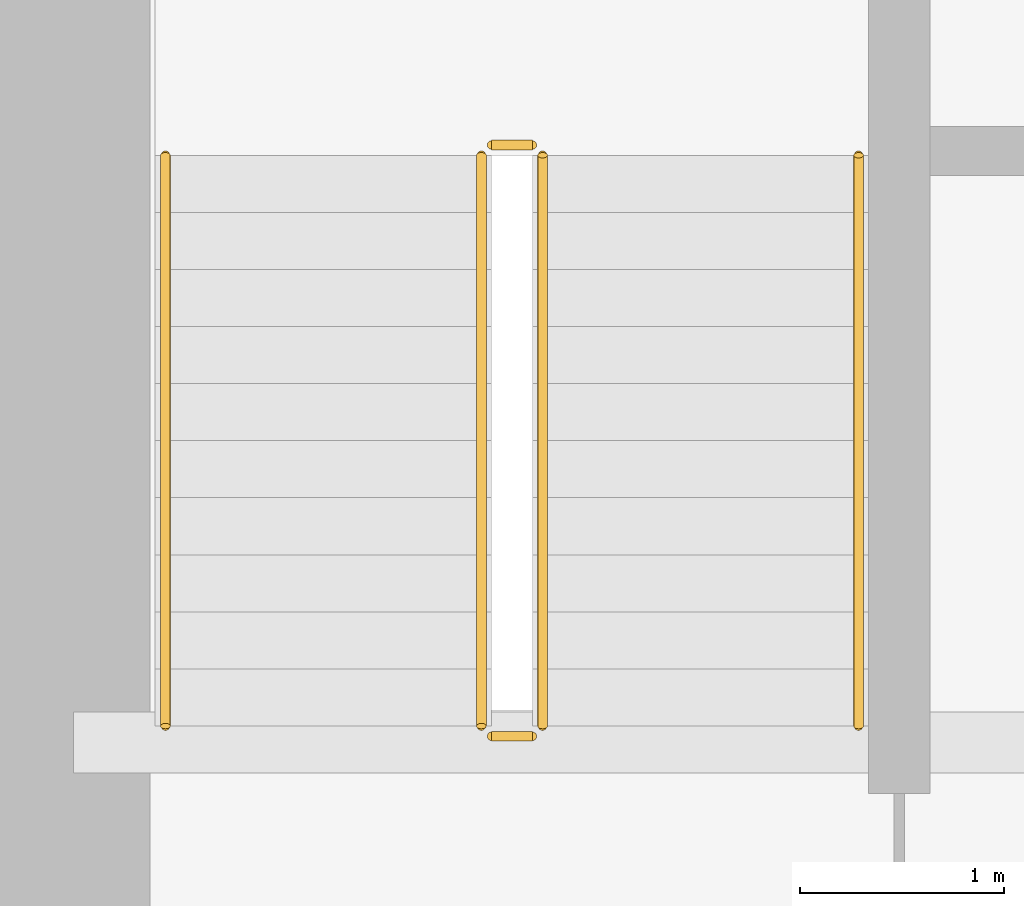
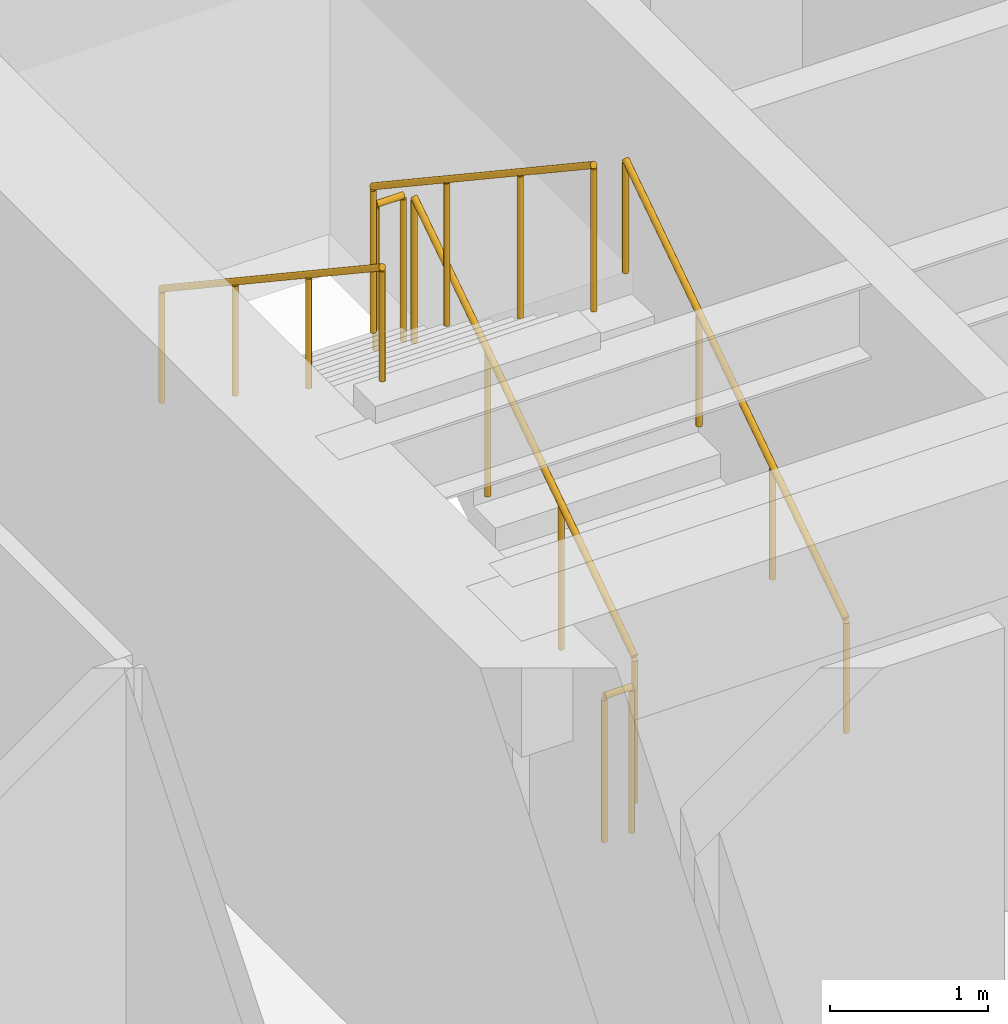
# One storey, part 34 of 35: 6 railings.
"""IFC4 building model written with IfcOpenShell, lengths in metres."""

from ifc_helpers import new_model, si_unit, direction, frame, origin, origin_2d, place, context, subcontext, project, spatial, circle, extrude, source, transform, mapped, material, type_object, type_shapes, element, save


model = new_model("IFC4")

# Units and contexts
model_context = context("Model", 3, precision=1e-05, world=origin(), true_north=direction((0.0, 1.0)))
body_context = subcontext(model_context, "Body", "Model", "MODEL_VIEW")
ifc_project = project(units=[si_unit("LENGTHUNIT", "METRE"), si_unit("AREAUNIT", "SQUARE_METRE"), si_unit("VOLUMEUNIT", "CUBIC_METRE"), si_unit("PLANEANGLEUNIT", "RADIAN"), si_unit("MASSUNIT", "GRAM", prefix="KILO")], contexts=[model_context])

# Site, building, storey
site_placement = place(None, origin())
site = spatial("IfcSite", under=ifc_project, at=site_placement, CompositionType="ELEMENT")
building_placement = place(site_placement, origin())
building = spatial("IfcBuilding", under=site, at=building_placement, Name="Haelvirn Gate Laboratories", CompositionType="ELEMENT")
storey_placement = place(building_placement, frame((0.0, 0.0, 45.699951171875)))
storey = spatial("IfcBuildingStorey", under=building, at=storey_placement, Name="L11", CompositionType="ELEMENT", Elevation=45.699951171875)

# Railings
ifc_material_1 = material(Name="Galvanised steel SM355 & stainless top rail", Category="steel")
railing_type_1 = type_object("IfcRailingType", Name="RL-GUARD-1150", PredefinedType="GUARDRAIL", material=ifc_material_1)
shared_shape_1 = source(origin(), body_context, "Body", "SweptSolid", [
    extrude(circle(Radius=0.02392578125, at=origin_2d()), frame((0.0, 0.0, 1.1259765625), z_axis=(-1.0, 0.0, 0.0), x_axis=(0.0, -1.0, 0.0)), (0.0, 0.0, 1.0), 0.199951171875),
    extrude(circle(Radius=0.02099609375, at=origin_2d()), origin(), (0.0, 0.0, 1.0), 1.101806640625),
    extrude(circle(Radius=0.02099609375, at=origin_2d()), frame((-0.199951171875, 0.0, 0.0)), (0.0, 0.0, 1.0), 1.101806640625),
])
for number, where, name in (
    (1, (9.64990234375, 29.550048828125, 2.050048828125), "L11 ST1 stair guard 2"),
    (2, (9.64990234375, 26.64990234375, 0.0), "L11 ST1 stair guard 4"),
):
    element("IfcRailing", number, at=place(storey_placement, frame(where)), inside=storey, type_object=railing_type_1, Name=name, PredefinedType="GUARDRAIL", context=body_context, shape_type="MappedRepresentation", body=[
        mapped(shared_shape_1, transform((0.0, 0.0, 0.0), scale=1.0)),
    ])
shared_shape_2 = source(origin(), body_context, "Body", "SweptSolid", [
    extrude(circle(Radius=0.02392578125, at=origin_2d()), frame((0.0, 0.0, 1.1259765625), z_axis=(0.0, 0.832485552168, 0.554046753832), x_axis=(-1.0, 0.0, 0.0)), (0.0, 0.0, 1.0), 3.363525390625),
    extrude(circle(Radius=0.02099609375, at=origin_2d()), origin(), (0.0, 0.0, 1.0), 1.101806640625),
    extrude(circle(Radius=0.02099609375, at=origin_2d()), frame((0.0, 0.933349609375, 0.62109375)), (0.0, 0.0, 1.0), 1.101806640625),
    extrude(circle(Radius=0.02099609375, at=origin_2d()), frame((0.0, 1.86669921875, 1.242431640625)), (0.0, 0.0, 1.0), 1.101806640625),
    extrude(circle(Radius=0.02099609375, at=origin_2d()), frame((0.0, 2.800048828125, 1.863525390625)), (0.0, 0.0, 1.0), 1.101806640625),
])
railing_1_placement = place(storey_placement, frame((9.699951171875, 26.699951171875, 0.1865234375)))
element("IfcRailing", 3, at=railing_1_placement, inside=storey, type_object=railing_type_1, Name="L11 ST1 stair guard 1", PredefinedType="GUARDRAIL", context=body_context, shape_type="MappedRepresentation", body=[
    mapped(shared_shape_2, transform((0.0, 0.0, 0.0), scale=1.0)),
])
shared_shape_3 = source(origin(), body_context, "Body", "SweptSolid", [
    extrude(circle(Radius=0.02392578125, at=origin_2d()), frame((0.0, 0.0, 1.1259765625), z_axis=(0.0, -0.832452072856, 0.554097055034), x_axis=(1.0, 0.0, 0.0)), (0.0, 0.0, 1.0), 3.363525390625),
    extrude(circle(Radius=0.02099609375, at=origin_2d()), origin(), (0.0, 0.0, 1.0), 1.101806640625),
    extrude(circle(Radius=0.02099609375, at=origin_2d()), frame((0.0, -0.933349609375, 0.621337890625)), (0.0, 0.0, 1.0), 1.101806640625),
    extrude(circle(Radius=0.02099609375, at=origin_2d()), frame((0.0, -1.86669921875, 1.242431640625)), (0.0, 0.0, 1.0), 1.101806640625),
    extrude(circle(Radius=0.02099609375, at=origin_2d()), frame((0.0, -2.800048828125, 1.86376953125)), (0.0, 0.0, 1.0), 1.101806640625),
])
type_shapes(railing_type_1, [shared_shape_1, shared_shape_2, shared_shape_3])
railing_2_placement = place(storey_placement, frame((9.39990234375, 29.5, 2.236328125)))
element("IfcRailing", 4, at=railing_2_placement, inside=storey, type_object=railing_type_1, Name="L11 ST1 stair guard 3", PredefinedType="GUARDRAIL", context=body_context, shape_type="MappedRepresentation", body=[
    mapped(shared_shape_3, transform((0.0, 0.0, 0.0), scale=1.0)),
])
ifc_material_2 = material(Name="Brushed stainless steel 316L", Category="steel")
railing_type_2 = type_object("IfcRailingType", Name="RL-HAND-920", PredefinedType="HANDRAIL", material=ifc_material_2)
shared_shape_4 = source(origin(), body_context, "Body", "SweptSolid", [
    extrude(circle(Radius=0.02392578125, at=origin_2d()), frame((0.0, 0.0, 0.8759765625), z_axis=(0.0, 0.832485552168, 0.554046753832), x_axis=(-1.0, 0.0, 0.0)), (0.0, 0.0, 1.0), 3.363525390625),
    extrude(circle(Radius=0.02099609375, at=origin_2d()), origin(), (0.0, 0.0, 1.0), 0.851806640625),
    extrude(circle(Radius=0.02099609375, at=origin_2d()), frame((0.0, 0.933349609375, 0.62109375)), (0.0, 0.0, 1.0), 0.851806640625),
    extrude(circle(Radius=0.02099609375, at=origin_2d()), frame((0.0, 1.86669921875, 1.242431640625)), (0.0, 0.0, 1.0), 0.851806640625),
    extrude(circle(Radius=0.02099609375, at=origin_2d()), frame((0.0, 2.800048828125, 1.863525390625)), (0.0, 0.0, 1.0), 0.851806640625),
])
railing_3_placement = place(storey_placement, frame((11.25, 26.699951171875, 0.1865234375)))
element("IfcRailing", 5, at=railing_3_placement, inside=storey, type_object=railing_type_2, Name="L11 ST1 stair handrail 1", PredefinedType="HANDRAIL", context=body_context, shape_type="MappedRepresentation", body=[
    mapped(shared_shape_4, transform((0.0, 0.0, 0.0), scale=1.0)),
])
shared_shape_5 = source(origin(), body_context, "Body", "SweptSolid", [
    extrude(circle(Radius=0.02392578125, at=origin_2d()), frame((0.0, 0.0, 0.8759765625), z_axis=(0.0, -0.832452072856, 0.554097055034), x_axis=(1.0, 0.0, 0.0)), (0.0, 0.0, 1.0), 3.363525390625),
    extrude(circle(Radius=0.02099609375, at=origin_2d()), origin(), (0.0, 0.0, 1.0), 0.851806640625),
    extrude(circle(Radius=0.02099609375, at=origin_2d()), frame((0.0, -0.933349609375, 0.621337890625)), (0.0, 0.0, 1.0), 0.851806640625),
    extrude(circle(Radius=0.02099609375, at=origin_2d()), frame((0.0, -1.86669921875, 1.242431640625)), (0.0, 0.0, 1.0), 0.851806640625),
    extrude(circle(Radius=0.02099609375, at=origin_2d()), frame((0.0, -2.800048828125, 1.86376953125)), (0.0, 0.0, 1.0), 0.851806640625),
])
type_shapes(railing_type_2, [shared_shape_4, shared_shape_5])
railing_4_placement = place(storey_placement, frame((7.85009765625, 29.5, 2.236328125)))
element("IfcRailing", 6, at=railing_4_placement, inside=storey, type_object=railing_type_2, Name="L11 ST1 stair handrail 2", PredefinedType="HANDRAIL", context=body_context, shape_type="MappedRepresentation", body=[
    mapped(shared_shape_5, transform((0.0, 0.0, 0.0), scale=1.0)),
])

save(model, "model.ifc")
